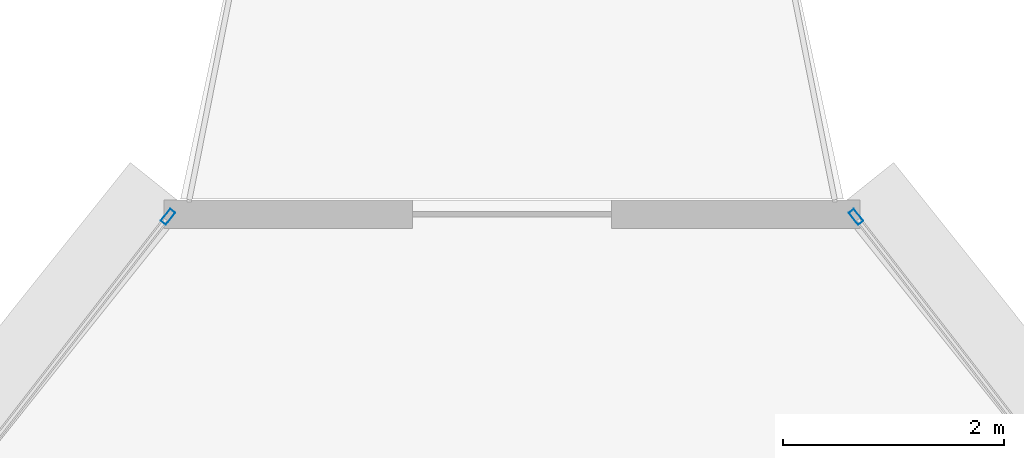
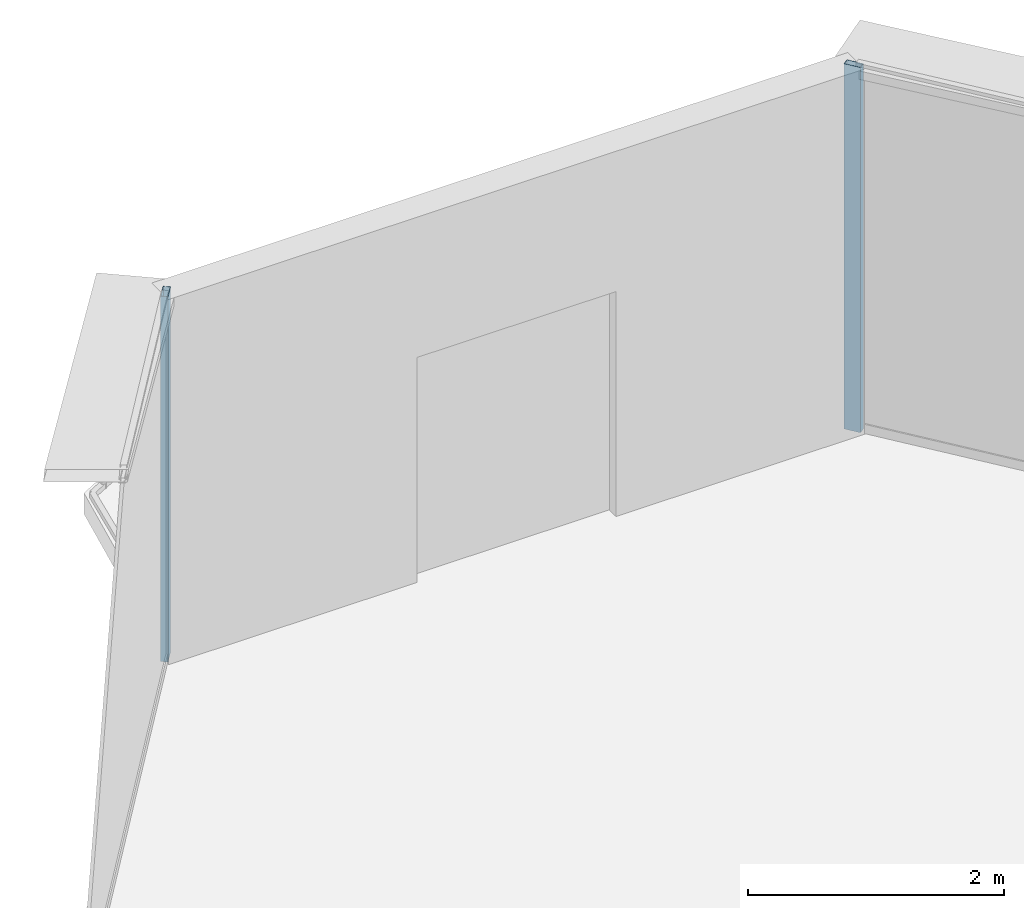
# One storey, part 18 of 26: 2 members, 2 elements without a shape of their own.
"""IFC4 building model written with IfcOpenShell, lengths in metres."""

import ifcopenshell
import ifcopenshell.guid

model = None  # the IFC model being written
_history = None  # IfcOwnerHistory: only IFC2X3 demands one
_inside = {}  # id of a spatial element -> (the spatial element, [elements in it])
_under = {}  # id of a project, library or spatial element -> (it, [spatial elements below it])
_declared = {}  # id of a project -> (the project, [libraries it declares])
_typed = {}  # id of a type object -> (the type object, [elements of that type])
_made_of = {}  # id of a material, layer set ... -> (it, [elements and type objects made of it])


def new_model(schema):
    """Start an empty IFC model of exactly this schema.

    Asked for "IFC4X3", IfcOpenShell would pick the latest addendum, in which some entities
    have other attributes; the version numbers below select the first issue.
    IFC2X3 requires an IfcOwnerHistory on every rooted entity: one is made here for all.
    """
    global model, _history
    if schema == "IFC4X3":
        model = ifcopenshell.file(schema_version=(4, 3, 0, 0))
    else:
        model = ifcopenshell.file(schema=schema)
    _inside.clear()
    _under.clear()
    _declared.clear()
    _typed.clear()
    _made_of.clear()
    _history = None
    if model.schema == "IFC2X3":
        org = make("IfcOrganization", Name="unknown")
        user = make(
            "IfcPersonAndOrganization",
            ThePerson=make("IfcPerson", FamilyName="unknown"),
            TheOrganization=org,
        )
        app = make(
            "IfcApplication",
            ApplicationDeveloper=org,
            Version="unknown",
            ApplicationFullName="unknown",
            ApplicationIdentifier="unknown",
        )
        _history = make(
            "IfcOwnerHistory",
            OwningUser=user,
            OwningApplication=app,
            ChangeAction="ADDED",
            CreationDate=0,
        )
    return model


def make(cls, **values):
    """One entity of the class cls with the attributes given. An attribute that is None is left unset."""
    return model.create_entity(
        cls, **{name: value for name, value in values.items() if value is not None}
    )


def rooted(cls, **values):
    """An entity with a GlobalId (a new one), such as an element, a storey or a relation."""
    return make(cls, GlobalId=ifcopenshell.guid.new(), OwnerHistory=_history, **values)


def si_unit(unit_type, name, prefix=None):
    """IfcSIUnit, for example si_unit("LENGTHUNIT", "METRE", prefix="MILLI")."""
    return make("IfcSIUnit", UnitType=unit_type, Prefix=prefix, Name=name)


def assignment(units):
    """IfcUnitAssignment: the units of a project."""
    return None if units is None else make("IfcUnitAssignment", Units=units)


def point(xyz):
    """IfcCartesianPoint."""
    return None if xyz is None else make("IfcCartesianPoint", Coordinates=xyz)


def direction(xyz):
    """IfcDirection."""
    return None if xyz is None else make("IfcDirection", DirectionRatios=xyz)


def frame(location, z_axis=None, x_axis=None):
    """IfcAxis2Placement3D, a coordinate frame: its origin and axes. An axis left out is left unset."""
    return make(
        "IfcAxis2Placement3D",
        Location=point(location),
        Axis=direction(z_axis),
        RefDirection=direction(x_axis),
    )


def frame_2d(location, x_axis=None):
    """IfcAxis2Placement2D, a coordinate frame in the plane: its origin and x axis."""
    return make(
        "IfcAxis2Placement2D", Location=point(location), RefDirection=direction(x_axis)
    )


def origin():
    """The frame at (0, 0, 0) with its axes left unset."""
    return frame((0.0, 0.0, 0.0))


def origin_2d():
    """The frame at (0, 0) in the plane with its x axis left unset."""
    return frame_2d((0.0, 0.0))


def place(relative_to, where):
    """IfcLocalPlacement: puts the frame where relative to a parent placement (None: the world)."""
    return make(
        "IfcLocalPlacement", PlacementRelTo=relative_to, RelativePlacement=where
    )


def context(
    kind, dimensions, precision=None, world=None, true_north=None, identifier=None
):
    """IfcGeometricRepresentationContext, for example the 3D "Model" context."""
    return make(
        "IfcGeometricRepresentationContext",
        ContextIdentifier=identifier,
        ContextType=kind,
        CoordinateSpaceDimension=dimensions,
        Precision=precision,
        WorldCoordinateSystem=world,
        TrueNorth=true_north,
    )


def subcontext(parent, identifier, kind, view, scale=None):
    """IfcGeometricRepresentationSubContext, for example "Body" below "Model"."""
    return make(
        "IfcGeometricRepresentationSubContext",
        ContextIdentifier=identifier,
        ContextType=kind,
        ParentContext=parent,
        TargetScale=scale,
        TargetView=view,
    )


def project(units=None, contexts=None):
    """IfcProject with its units and contexts."""
    return rooted(
        "IfcProject",
        Name="project",
        RepresentationContexts=contexts,
        UnitsInContext=assignment(units),
    )


def spatial(cls, under=None, at=None, **own):
    """A site, building, storey or space (cls), placed at a placement, below another one or the project."""
    s = rooted(cls, ObjectPlacement=at, **own)
    if under is not None:
        _under.setdefault(under.id(), (under, []))[1].append(s)
    return s


def profile(cls, at=None, kind="AREA", **sizes):
    """A parametric profile (cls). Its sizes go by their IFC names, for example OverallWidth=200.0."""
    return make(cls, ProfileType=kind, Position=at, **sizes)


def hollow_rectangle(**sizes):
    """IfcRectangleHollowProfileDef."""
    return profile("IfcRectangleHollowProfileDef", **sizes)


def extrude(swept, where, along, depth):
    """IfcExtrudedAreaSolid: the profile swept, set in the frame where, extruded along a direction by depth."""
    return make(
        "IfcExtrudedAreaSolid",
        SweptArea=swept,
        Position=where,
        ExtrudedDirection=direction(along),
        Depth=depth,
    )


def shape(context_of_items, identifier, shape_type, items):
    """IfcShapeRepresentation: the items that make up one representation, for example the "Body"."""
    return make(
        "IfcShapeRepresentation",
        ContextOfItems=context_of_items,
        RepresentationIdentifier=identifier,
        RepresentationType=shape_type,
        Items=items,
    )


def source(mapping_origin, context_of_items, identifier, shape_type, items):
    """IfcRepresentationMap: a shape defined once, which mapped items show again and again."""
    return make(
        "IfcRepresentationMap",
        MappingOrigin=mapping_origin,
        MappedRepresentation=shape(context_of_items, identifier, shape_type, items),
    )


def transform(
    local_origin,
    x_axis=None,
    y_axis=None,
    z_axis=None,
    scale=None,
    scale2=None,
    scale3=None,
    uniform=True,
):
    """IfcCartesianTransformationOperator3D, or its non-uniform kind. x_axis, y_axis, z_axis: its Axis1, 2, 3."""
    if uniform:
        return make(
            "IfcCartesianTransformationOperator3D",
            Axis1=direction(x_axis),
            Axis2=direction(y_axis),
            LocalOrigin=point(local_origin),
            Scale=scale,
            Axis3=direction(z_axis),
        )
    return make(
        "IfcCartesianTransformationOperator3DnonUniform",
        Axis1=direction(x_axis),
        Axis2=direction(y_axis),
        LocalOrigin=point(local_origin),
        Scale=scale,
        Axis3=direction(z_axis),
        Scale2=scale2,
        Scale3=scale3,
    )


def mapped(mapping_source, mapping_target):
    """IfcMappedItem: shows the shape of a source again, moved by a transform."""
    return make(
        "IfcMappedItem", MappingSource=mapping_source, MappingTarget=mapping_target
    )


def material(Name=None, Category=None):
    """IfcMaterial."""
    return make("IfcMaterial", Name=Name, Category=Category)


def layer(
    of_material, thickness, ventilated=None, Name=None, Category=None, Priority=None
):
    """IfcMaterialLayer: one layer of a wall or slab, of a material (None: an air gap)."""
    return make(
        "IfcMaterialLayer",
        Material=of_material,
        LayerThickness=thickness,
        IsVentilated=ventilated,
        Name=Name,
        Category=Category,
        Priority=Priority,
    )


def layer_set(layers, Name=None):
    """IfcMaterialLayerSet."""
    return make("IfcMaterialLayerSet", MaterialLayers=layers, LayerSetName=Name)


def material_profile(
    of_material, cross_section, Name=None, Category=None, Priority=None
):
    """IfcMaterialProfile: a cross section and its material."""
    return make(
        "IfcMaterialProfile",
        Name=Name,
        Material=of_material,
        Profile=cross_section,
        Priority=Priority,
        Category=Category,
    )


def profile_set(profiles, Name=None, composite=None):
    """IfcMaterialProfileSet."""
    return make(
        "IfcMaterialProfileSet",
        Name=Name,
        MaterialProfiles=profiles,
        CompositeProfile=composite,
    )


def made_of(thing, what):
    """Note that an element or type object is made of a material, layer set ...; save() writes the relation."""
    if what is not None:
        _made_of.setdefault(what.id(), (what, []))[1].append(thing)
    return thing


def type_object(cls, material=None, **own):
    """A type object (cls), such as IfcWallType, which elements share."""
    return made_of(rooted(cls, **own), material)


def element(
    cls,
    number,
    at=None,
    inside=None,
    cuts=None,
    type_object=None,
    material=None,
    context=None,
    identifier="Body",
    shape_type=None,
    held_by="IfcProductDefinitionShape",
    body=None,
    shapes=None,
    **own,
):
    """One element of the class cls, such as IfcWall. Its Tag is "e" and its number.

    at: its placement. inside: the storey or other place that contains it. cuts: it is an
    opening in that element (IfcRelVoidsElement). A single representation is given by context,
    identifier, shape_type and body (its items); several are given by shapes. held_by: the class
    of the entity that holds the representations. save() writes the other relations.
    """
    e = rooted(cls, Tag="e%d" % number, ObjectPlacement=at, **own)
    if body is not None:
        shapes = [shape(context, identifier, shape_type, body)]
    if shapes is not None:
        e.Representation = make(held_by, Representations=shapes)
    if inside is not None:
        _inside.setdefault(inside.id(), (inside, []))[1].append(e)
    if cuts is not None:
        rooted(
            "IfcRelVoidsElement", RelatingBuildingElement=cuts, RelatedOpeningElement=e
        )
    if type_object is not None:
        _typed.setdefault(type_object.id(), (type_object, []))[1].append(e)
    return made_of(e, material)


def aggregate(whole, parts):
    """IfcRelAggregates: a whole, such as a stair, and the parts it consists of."""
    return rooted("IfcRelAggregates", RelatingObject=whole, RelatedObjects=parts)


def save(model, path):
    """Write the relations noted so far, then the file.

    IfcRelAggregates (storeys below a building ...), IfcRelContainedInSpatialStructure (elements
    in a storey), IfcRelDefinesByType, IfcRelAssociatesMaterial and IfcRelDeclares: one each for
    every whole, place, type object, material and project.
    """
    for whole, parts in _under.values():
        aggregate(whole, parts)
    for where, things in _inside.values():
        rooted(
            "IfcRelContainedInSpatialStructure",
            RelatedElements=things,
            RelatingStructure=where,
        )
    for kind, things in _typed.values():
        rooted("IfcRelDefinesByType", RelatedObjects=things, RelatingType=kind)
    for what, things in _made_of.values():
        rooted("IfcRelAssociatesMaterial", RelatedObjects=things, RelatingMaterial=what)
    for by, libraries in _declared.values():
        rooted("IfcRelDeclares", RelatingContext=by, RelatedDefinitions=libraries)
    model.write(path)


model = new_model("IFC4")

# Units and contexts
model_context = context("Model", 3, precision=1e-05, world=origin(), true_north=direction((0.0, 1.0)))
body_context = subcontext(model_context, "Body", "Model", "MODEL_VIEW")
ifc_project = project(units=[si_unit("LENGTHUNIT", "METRE"), si_unit("AREAUNIT", "SQUARE_METRE"), si_unit("VOLUMEUNIT", "CUBIC_METRE"), si_unit("PLANEANGLEUNIT", "RADIAN"), si_unit("MASSUNIT", "GRAM", prefix="KILO"), si_unit("THERMODYNAMICTEMPERATUREUNIT", "KELVIN"), si_unit("POWERUNIT", "WATT")], contexts=[model_context])

# Site, building, storey
site_placement = place(None, origin())
site = spatial("IfcSite", under=ifc_project, at=site_placement, CompositionType="ELEMENT")
building_placement = place(site_placement, origin())
building = spatial("IfcBuilding", under=site, at=building_placement, Name="Yunzhuo Pagoda Commons", CompositionType="ELEMENT")
storey_placement = place(building_placement, frame((0.0, 0.0, 340.510009765625)))
storey = spatial("IfcBuildingStorey", under=building, at=storey_placement, Name="L85", CompositionType="ELEMENT", Elevation=340.510009765625)

# Curtain wall, member
ifc_material = material(Name="Anodized aluminium 6063-T6", Category="aluminium")
ifc_layer = layer(ifc_material, 0.139892578125)
ifc_layer_set = layer_set([ifc_layer], Name="Anodized aluminium 6063-T6")
curtain_wall_type = type_object("IfcCurtainWallType", Name="CW-HI High-Zone Ribbon Curtain Wall", PredefinedType="NOTDEFINED", material=ifc_layer_set)
curtain_wall_1_placement = place(storey_placement, origin())
curtain_wall_1 = element("IfcCurtainWall", 1, at=curtain_wall_1_placement, inside=storey, type_object=curtain_wall_type, Name="L85 curtain wall CW-L85-F2B5", PredefinedType="NOTDEFINED")
ifc_material_profile = material_profile(ifc_material, hollow_rectangle(XDim=0.06005859375, YDim=0.139892578125, WallThickness=0.00341796875, at=origin_2d()), Name="Anodized aluminium 6063-T6")
ifc_profile_set = profile_set([ifc_material_profile], Name="Anodized aluminium 6063-T6")
member_type = type_object("IfcMemberType", Name="CW-HI-M Mullion RHS 140x60x3.5", PredefinedType="MULLION", material=ifc_profile_set)
shared_shape = source(origin(), body_context, "Body", "SweptSolid", [
    extrude(hollow_rectangle(XDim=0.06005859375, YDim=0.139892578125, WallThickness=0.00341796875, at=origin_2d()), origin(), (0.0, 0.0, 1.0), 3.489990234375),
])
member_1_placement = place(storey_placement, frame((51.10986328125, 71.757568359375, 0.0), z_axis=(0.0, 0.0, 1.0), x_axis=(-0.79052744869, -0.612426610189, 0.0)))
member_1 = element("IfcMember", 2, at=member_1_placement, type_object=member_type, Name="CW mullion 2", PredefinedType="MULLION", context=body_context, shape_type="MappedRepresentation", body=[
    mapped(shared_shape, transform((0.0, 0.0, 0.0), scale=1.0)),
])
aggregate(curtain_wall_1, [member_1])

curtain_wall_2_placement = place(storey_placement, origin())
curtain_wall_2 = element("IfcCurtainWall", 3, at=curtain_wall_2_placement, inside=storey, type_object=curtain_wall_type, Name="L85 curtain wall CW-L85-F3B1", PredefinedType="NOTDEFINED")
member_2_placement = place(storey_placement, frame((44.89013671875, 71.757568359375, 0.0), z_axis=(0.0, 0.0, 1.0), x_axis=(0.79052744869, -0.612426610189, 0.0)))
member_2 = element("IfcMember", 4, at=member_2_placement, type_object=member_type, Name="CW mullion 1", PredefinedType="MULLION", context=body_context, shape_type="MappedRepresentation", body=[
    mapped(shared_shape, transform((0.0, 0.0, 0.0), scale=1.0)),
])
aggregate(curtain_wall_2, [member_2])

save(model, "model.ifc")
